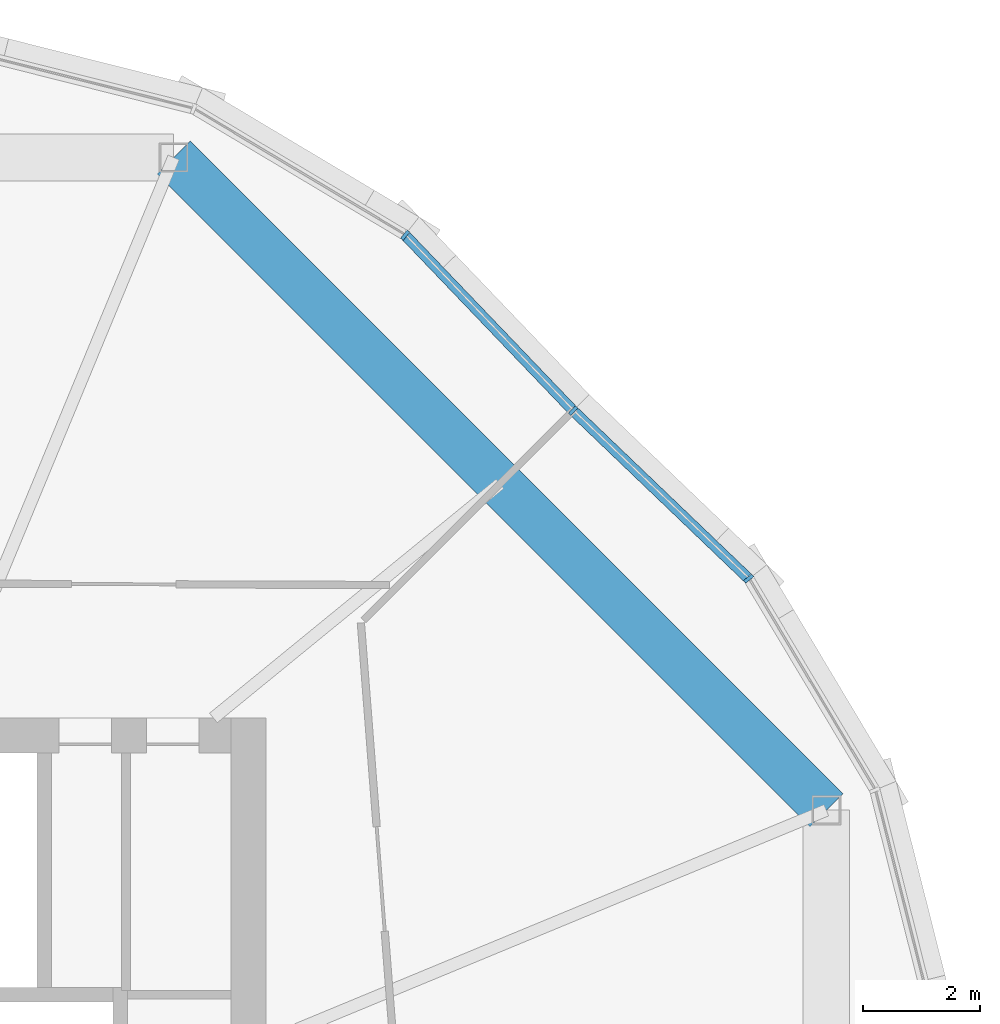
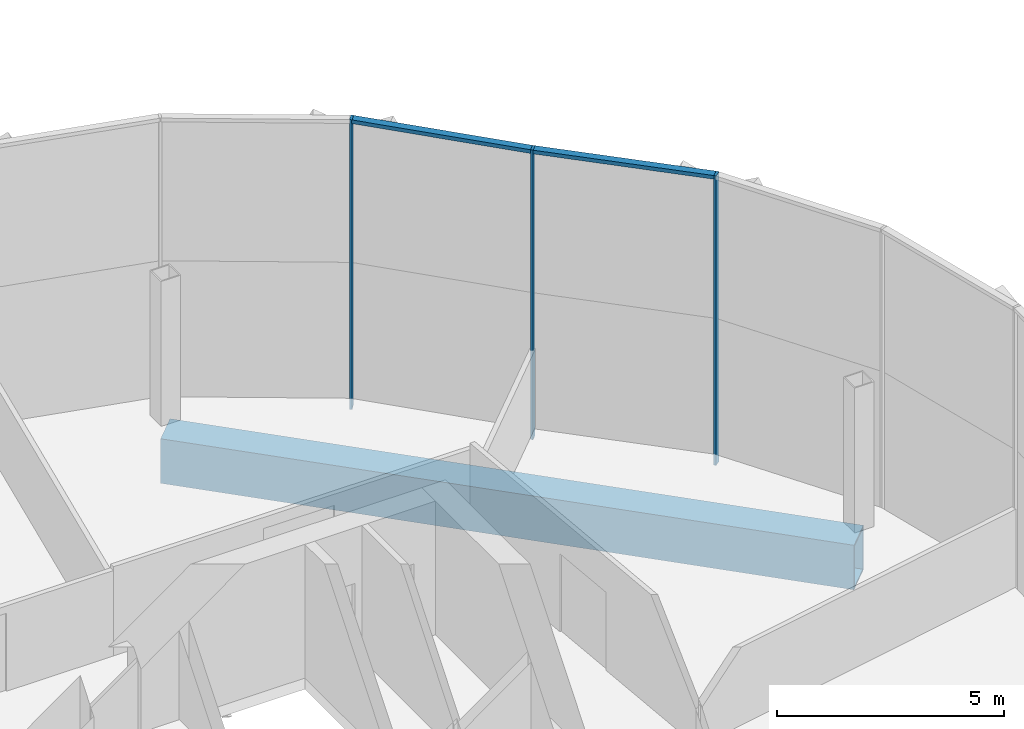
# One storey, part 8 of 26: 5 members, 1 beam, 2 elements without a shape of their own.
"""IFC4 building model written with IfcOpenShell, lengths in metres."""

from ifc_helpers import new_model, si_unit, direction, frame, origin, origin_2d, place, context, subcontext, project, spatial, rectangle, hollow_rectangle, extrude, material, material_profile, profile_set, type_object, element, aggregate, save


model = new_model("IFC4")

# Units and contexts
model_context = context("Model", 3, precision=1e-05, world=origin(), true_north=direction((0.0, 1.0)))
body_context = subcontext(model_context, "Body", "Model", "MODEL_VIEW")
ifc_project = project(units=[si_unit("LENGTHUNIT", "METRE"), si_unit("AREAUNIT", "SQUARE_METRE"), si_unit("VOLUMEUNIT", "CUBIC_METRE"), si_unit("PLANEANGLEUNIT", "RADIAN"), si_unit("MASSUNIT", "GRAM", prefix="KILO")], contexts=[model_context])

# Site, building, storey
site_placement = place(None, origin())
site = spatial("IfcSite", under=ifc_project, at=site_placement, CompositionType="ELEMENT")
building_placement = place(site_placement, origin())
building = spatial("IfcBuilding", under=site, at=building_placement, Name="Ogive Gate Towers", CompositionType="ELEMENT")
storey_placement = place(building_placement, frame((0.0, 0.0, 208.5)))
storey = spatial("IfcBuildingStorey", under=building, at=storey_placement, Name="L50", CompositionType="ELEMENT", Elevation=208.5)

# Beam
ifc_material_1 = material(Name="Steel SM460", Category="steel")
ifc_material_profile_1 = material_profile(ifc_material_1, hollow_rectangle(XDim=0.800048828125, YDim=1.199951171875, WallThickness=0.050048828125, at=origin_2d()), Name="BX 1200x800x50")
ifc_profile_set_1 = profile_set([ifc_material_profile_1], Name="Steel SM460")
beam_type = type_object("IfcBeamType", Name="Edge girder BX 1200x800x50", PredefinedType="BEAM", material=ifc_profile_set_1)
beam_placement = place(storey_placement, frame((-16.885009765625, 7.917724609375, -0.89990234375), z_axis=(-0.707106781187, 0.707106781187, 0.0), x_axis=(-0.707106781187, -0.707106781187, 0.0)))
element("IfcBeam", 1, at=beam_placement, inside=storey, type_object=beam_type, Name="T1/L50/SBM021", PredefinedType="BEAM", context=body_context, shape_type="SweptSolid", body=[
    extrude(hollow_rectangle(XDim=0.800048828125, YDim=1.199951171875, WallThickness=0.050048828125, at=origin_2d()), origin(), (0.0, 0.0, 1.0), 15.835205078125),
])

# Curtain wall, members
ifc_material_2 = material(Name="Pale metal aluminium", Category="aluminium")
curtain_wall_type = type_object("IfcCurtainWallType", Name="Tower unitised wall, high zone", PredefinedType="NOTDEFINED", material=ifc_material_2)
curtain_wall_1_placement = place(storey_placement, origin())
curtain_wall_1 = element("IfcCurtainWall", 2, at=curtain_wall_1_placement, inside=storey, type_object=curtain_wall_type, Name="CW2 T1 ECW01", PredefinedType="NOTDEFINED")
ifc_material_profile_2 = material_profile(ifc_material_2, rectangle(XDim=0.179931640625, YDim=0.06005859375, at=origin_2d()), Name="60 x 180 aluminium box")
ifc_profile_set_2 = profile_set([ifc_material_profile_2], Name="Pale metal aluminium")
member_type_1 = type_object("IfcMemberType", Name="Tower unitised wall, high zone mullion 60 x 180", PredefinedType="MULLION", material=ifc_profile_set_2)
member_1_placement = place(storey_placement, frame((-18.218505859375, 11.890380859375, -0.300048828125), z_axis=(0.0, 0.0, 1.0), x_axis=(0.782097241889, 0.623156404308, 0.0)))
member_1 = element("IfcMember", 3, at=member_1_placement, type_object=member_type_1, Name="CW2 mullion", PredefinedType="MULLION", context=body_context, shape_type="SweptSolid", body=[
    extrude(rectangle(XDim=0.179931640625, YDim=0.06005859375, at=origin_2d()), origin(), (0.0, 0.0, 1.0), 7.800048828125),
])
member_2_placement = place(storey_placement, frame((-21.228515625, 14.771240234375, -0.300048828125), z_axis=(0.0, 0.0, 1.0), x_axis=(0.691500448047, 0.722376031129, 0.0)))
member_2 = element("IfcMember", 4, at=member_2_placement, type_object=member_type_1, Name="CW2 mullion", PredefinedType="MULLION", context=body_context, shape_type="SweptSolid", body=[
    extrude(rectangle(XDim=0.179931640625, YDim=0.06005859375, at=origin_2d()), origin(), (0.0, 0.0, 1.0), 7.800048828125),
])

# Curtain wall, member
curtain_wall_2_placement = place(storey_placement, origin())
curtain_wall_2 = element("IfcCurtainWall", 5, at=curtain_wall_2_placement, inside=storey, type_object=curtain_wall_type, Name="CW2 T1 ECW02", PredefinedType="NOTDEFINED")
member_3_placement = place(storey_placement, frame((-24.109619140625, 17.781494140625, -0.300048828125), z_axis=(0.0, 0.0, 1.0), x_axis=(0.623156404308, 0.782097241889, 0.0)))
member_3 = element("IfcMember", 6, at=member_3_placement, type_object=member_type_1, Name="CW2 mullion", PredefinedType="MULLION", context=body_context, shape_type="SweptSolid", body=[
    extrude(rectangle(XDim=0.179931640625, YDim=0.06005859375, at=origin_2d()), origin(), (0.0, 0.0, 1.0), 7.800048828125),
])

# Member
ifc_material_profile_3 = material_profile(ifc_material_2, rectangle(XDim=0.179931640625, YDim=0.10009765625, at=origin_2d()), Name="100 x 180 aluminium box")
ifc_profile_set_3 = profile_set([ifc_material_profile_3], Name="Pale metal aluminium")
member_type_2 = type_object("IfcMemberType", Name="Tower unitised wall, high zone transom 100 x 180", PredefinedType="USERDEFINED", material=ifc_profile_set_3)
member_4_placement = place(storey_placement, frame((-18.239501953125, 11.909912109375, 7.449951171875), z_axis=(-0.722361700823, 0.691515417893, 0.0), x_axis=(-0.691515417893, -0.722361700823, 0.0)))
member_4 = element("IfcMember", 7, at=member_4_placement, type_object=member_type_2, Name="CW2 transom", ObjectType="TRANSOM", PredefinedType="USERDEFINED", context=body_context, shape_type="SweptSolid", body=[
    extrude(rectangle(XDim=0.179931640625, YDim=0.10009765625, at=origin_2d()), origin(), (0.0, 0.0, 1.0), 4.107666015625),
])

aggregate(curtain_wall_1, [member_1, member_2, member_4])

member_5_placement = place(storey_placement, frame((-21.24951171875, 14.793212890625, 7.449951171875), z_axis=(-0.691515417893, 0.722361700823, 0.0), x_axis=(-0.722361700823, -0.691515417893, 0.0)))
member_5 = element("IfcMember", 8, at=member_5_placement, type_object=member_type_2, Name="CW2 transom", ObjectType="TRANSOM", PredefinedType="USERDEFINED", context=body_context, shape_type="SweptSolid", body=[
    extrude(rectangle(XDim=0.179931640625, YDim=0.10009765625, at=origin_2d()), origin(), (0.0, 0.0, 1.0), 4.107666015625),
])

aggregate(curtain_wall_2, [member_3, member_5])

save(model, "model.ifc")
